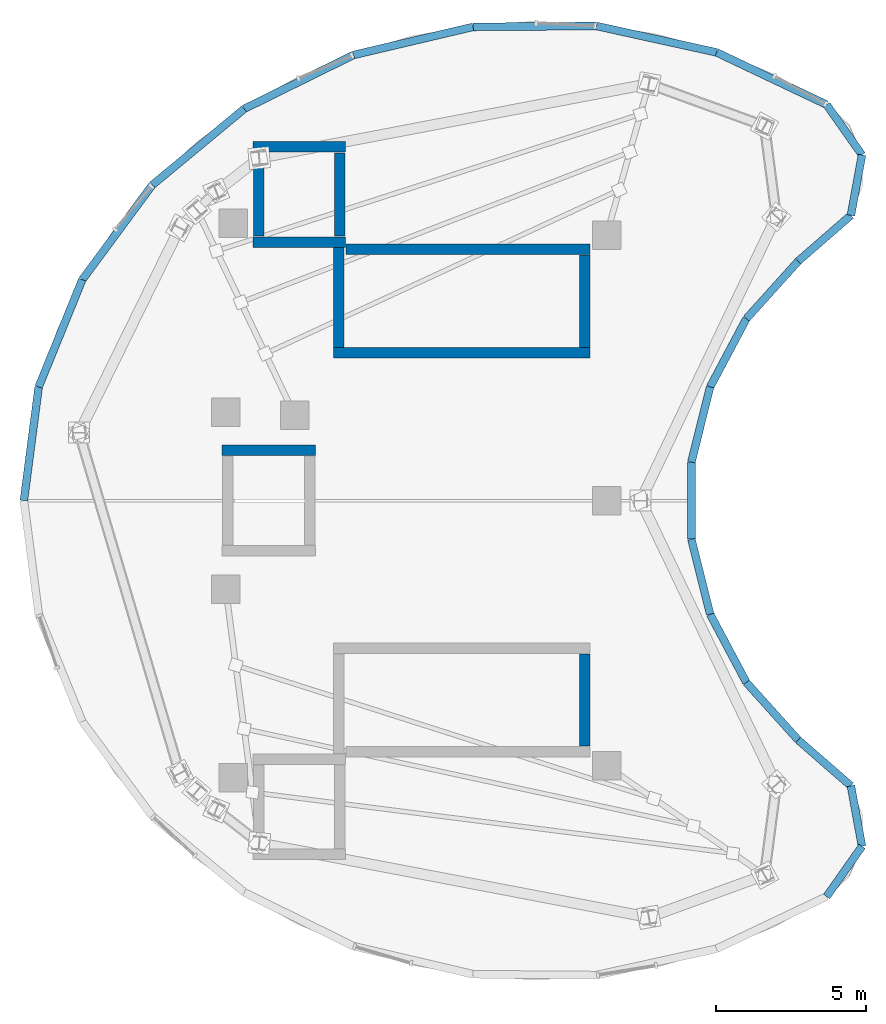
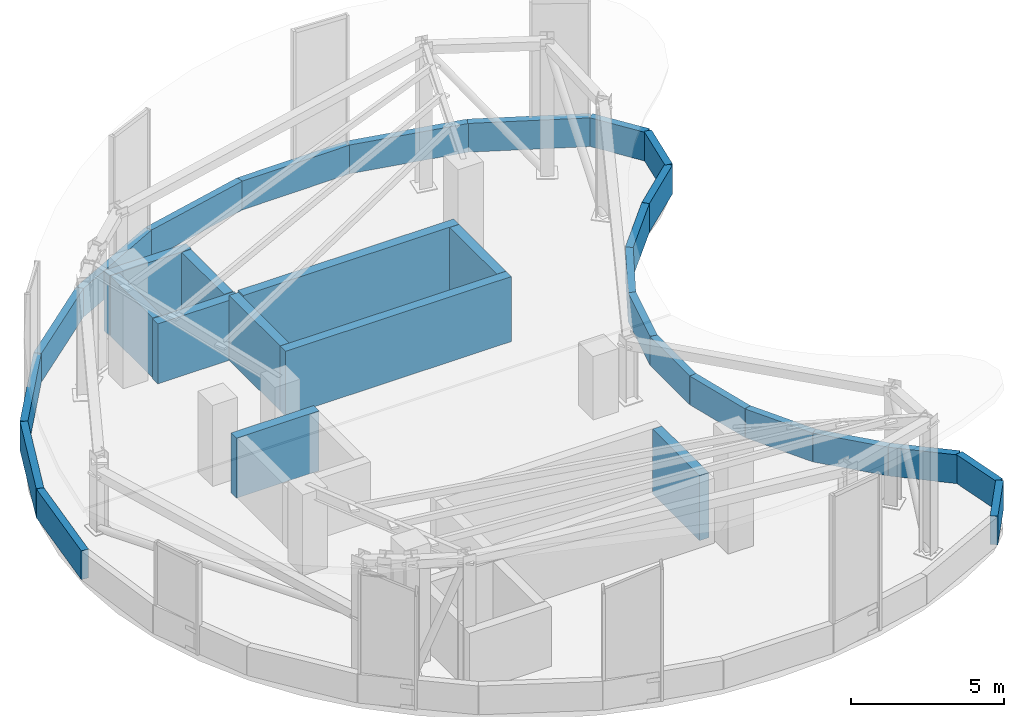
# One storey, part 4 of 4: 32 walls.
"""IFC4 building model written with IfcOpenShell, lengths in metres."""

from ifc_helpers import new_model, si_unit, direction, frame, frame_2d, origin, place, context, subcontext, project, spatial, rectangle, extrude, material, layer, layer_set, type_object, element, save


model = new_model("IFC4")

# Units and contexts
model_context = context("Model", 3, precision=1e-05, world=origin(), true_north=direction((0.0, 1.0)))
body_context = subcontext(model_context, "Body", "Model", "MODEL_VIEW")
ifc_project = project(units=[si_unit("LENGTHUNIT", "METRE"), si_unit("AREAUNIT", "SQUARE_METRE"), si_unit("VOLUMEUNIT", "CUBIC_METRE"), si_unit("PLANEANGLEUNIT", "RADIAN"), si_unit("MASSUNIT", "GRAM", prefix="KILO")], contexts=[model_context])

# Site, building, storey
site_placement = place(None, origin())
site = spatial("IfcSite", under=ifc_project, at=site_placement, CompositionType="ELEMENT")
building_placement = place(site_placement, origin())
building = spatial("IfcBuilding", under=site, at=building_placement, Name="Korentha Bioscience Tower", CompositionType="ELEMENT")
storey_placement = place(building_placement, frame((0.0, 0.0, 343.800048828125)))
storey = spatial("IfcBuildingStorey", under=building, at=storey_placement, Name="RF", CompositionType="ELEMENT", Elevation=343.800048828125)

# Walls
ifc_material_1 = material(Name="Honed Limestone Precast Concrete C40", Category="masonry")
ifc_layer_1 = layer(ifc_material_1, 0.260009765625, Name="Honed Limestone Precast Concrete C40")
ifc_layer_set_1 = layer_set([ifc_layer_1], Name="Honed Limestone Precast Concrete C40 (EW-P260)")
wall_type_1 = type_object("IfcWallType", Name="Limestone Capped Roof Parapet Wall 260", PredefinedType="PARAPET", material=ifc_layer_set_1)
wall_1_placement = place(storey_placement, frame((44.890380859375, 40.20654296875, 0.0), z_axis=(0.0, 0.0, 1.0), x_axis=(-0.9033013949, 0.429006515069, 0.0)))
element("IfcWall", 1, at=wall_1_placement, inside=storey, type_object=wall_type_1, Name="RF Limestone Roof Parapet 01", PredefinedType="PARAPET", context=body_context, shape_type="SweptSolid", body=[
    extrude(rectangle(XDim=4.059326171875, YDim=0.260009765625, at=frame_2d((2.02978515625, 0.0))), origin(), (0.0, 0.0, 1.0), 1.14990234375),
])
wall_2_placement = place(storey_placement, frame((41.2236328125, 41.947998046875, 0.0), z_axis=(0.0, 0.0, 1.0), x_axis=(-0.976668927268, 0.214750568123, 0.0)))
element("IfcWall", 2, at=wall_2_placement, inside=storey, type_object=wall_type_1, Name="RF Limestone Roof Parapet 02", PredefinedType="PARAPET", context=body_context, shape_type="SweptSolid", body=[
    extrude(rectangle(XDim=4.10400390625, YDim=0.260009765625, at=frame_2d((2.052001953125, 0.0))), origin(), (0.0, 0.0, 1.0), 1.14990234375),
])
wall_3_placement = place(storey_placement, frame((37.21533203125, 42.829345703125, 0.0), z_axis=(0.0, 0.0, 1.0), x_axis=(-0.999974284744, -0.007171460909, 0.0)))
element("IfcWall", 3, at=wall_3_placement, inside=storey, type_object=wall_type_1, Name="RF Limestone Roof Parapet 03", PredefinedType="PARAPET", context=body_context, shape_type="SweptSolid", body=[
    extrude(rectangle(XDim=4.119140625, YDim=0.260009765625, at=frame_2d((2.0595703125, 0.0))), origin(), (0.0, 0.0, 1.0), 1.14990234375),
])
wall_4_placement = place(storey_placement, frame((33.09619140625, 42.7998046875, 0.0), z_axis=(0.0, 0.0, 1.0), x_axis=(-0.973449941156, -0.228900004505, 0.0)))
element("IfcWall", 4, at=wall_4_placement, inside=storey, type_object=wall_type_1, Name="RF Limestone Roof Parapet 04", PredefinedType="PARAPET", context=body_context, shape_type="SweptSolid", body=[
    extrude(rectangle(XDim=4.10205078125, YDim=0.260009765625, at=frame_2d((2.051025390625, 0.0))), origin(), (0.0, 0.0, 1.0), 1.14990234375),
])
wall_5_placement = place(storey_placement, frame((29.10302734375, 41.86083984375, 0.0), z_axis=(0.0, 0.0, 1.0), x_axis=(-0.896846008073, -0.442342896182, 0.0)))
element("IfcWall", 5, at=wall_5_placement, inside=storey, type_object=wall_type_1, Name="RF Limestone Roof Parapet 05", PredefinedType="PARAPET", context=body_context, shape_type="SweptSolid", body=[
    extrude(rectangle(XDim=4.0556640625, YDim=0.260009765625, at=frame_2d((2.02783203125, 0.0))), origin(), (0.0, 0.0, 1.0), 1.14990234375),
])
wall_6_placement = place(storey_placement, frame((25.4658203125, 40.06689453125, 0.0), z_axis=(0.0, 0.0, 1.0), x_axis=(-0.769928793395, -0.638129808974, 0.0)))
element("IfcWall", 6, at=wall_6_placement, inside=storey, type_object=wall_type_1, Name="RF Limestone Roof Parapet 06", PredefinedType="PARAPET", context=body_context, shape_type="SweptSolid", body=[
    extrude(rectangle(XDim=3.989990234375, YDim=0.260009765625, at=frame_2d((1.9951171875, 0.0))), origin(), (0.0, 0.0, 1.0), 1.14990234375),
])
wall_7_placement = place(storey_placement, frame((22.393798828125, 37.520751953125, 0.0), z_axis=(0.0, 0.0, 1.0), x_axis=(-0.594483890804, -0.804107519909, 0.0)))
element("IfcWall", 7, at=wall_7_placement, inside=storey, type_object=wall_type_1, Name="RF Limestone Roof Parapet 07", PredefinedType="PARAPET", context=body_context, shape_type="SweptSolid", body=[
    extrude(rectangle(XDim=3.919189453125, YDim=0.260009765625, at=frame_2d((1.95947265625, 0.0))), origin(), (0.0, 0.0, 1.0), 1.14990234375),
])
wall_8_placement = place(storey_placement, frame((20.06396484375, 34.369384765625, 0.0), z_axis=(0.0, 0.0, 1.0), x_axis=(-0.376651872277, -0.926354881841, 0.0)))
element("IfcWall", 8, at=wall_8_placement, inside=storey, type_object=wall_type_1, Name="RF Limestone Roof Parapet 08", PredefinedType="PARAPET", context=body_context, shape_type="SweptSolid", body=[
    extrude(rectangle(XDim=3.85986328125, YDim=0.260009765625, at=frame_2d((1.929931640625, 0.0))), origin(), (0.0, 0.0, 1.0), 1.14990234375),
])
wall_9_placement = place(storey_placement, frame((18.610107421875, 30.793701171875, 0.0), z_axis=(0.0, 0.0, 1.0), x_axis=(-0.129161851813, -0.991623525354, 0.0)))
element("IfcWall", 9, at=wall_9_placement, inside=storey, type_object=wall_type_1, Name="RF Limestone Roof Parapet 09", PredefinedType="PARAPET", context=body_context, shape_type="SweptSolid", body=[
    extrude(rectangle(XDim=3.82568359375, YDim=0.260009765625, at=frame_2d((1.912841796875, 0.0))), origin(), (0.0, 0.0, 1.0), 1.14990234375),
])
for number, where, z_axis, x_axis, name in (
    (10, (44.890380859375, 13.79345703125, 0.0), (0.0, 0.0, 1.0), (0.576033114154, 0.817426358394, 0.0), "RF Limestone Roof Parapet 19"),
    (11, (46.0712890625, 15.46923828125, 0.0), (0.0, 0.0, 1.0), (-0.180771419895, 0.983525136308, 0.0), "RF Limestone Roof Parapet 20"),
):
    element("IfcWall", number, at=place(storey_placement, frame(where, z_axis=z_axis, x_axis=x_axis)), inside=storey, type_object=wall_type_1, Name=name, PredefinedType="PARAPET", context=body_context, shape_type="SweptSolid", body=[
        extrude(rectangle(XDim=2.050048828125, YDim=0.260009765625, at=frame_2d((1.02490234375, 0.0))), origin(), (0.0, 0.0, 1.0), 1.14990234375),
    ])
wall_10_placement = place(storey_placement, frame((45.70068359375, 17.485595703125, 0.0), z_axis=(0.0, 0.0, 1.0), x_axis=(-0.75431240133, 0.656515651907, 0.0)))
element("IfcWall", 12, at=wall_10_placement, inside=storey, type_object=wall_type_1, Name="RF Limestone Roof Parapet 21", PredefinedType="PARAPET", context=body_context, shape_type="SweptSolid", body=[
    extrude(rectangle(XDim=2.33154296875, YDim=0.260009765625, at=frame_2d((1.165771484375, 0.0))), origin(), (0.0, 0.0, 1.0), 1.14990234375),
])
wall_11_placement = place(storey_placement, frame((43.94189453125, 19.016357421875, 0.0), z_axis=(0.0, 0.0, 1.0), x_axis=(-0.669116417843, 0.743157600629, 0.0)))
element("IfcWall", 13, at=wall_11_placement, inside=storey, type_object=wall_type_1, Name="RF Limestone Roof Parapet 22", PredefinedType="PARAPET", context=body_context, shape_type="SweptSolid", body=[
    extrude(rectangle(XDim=2.57861328125, YDim=0.260009765625, at=frame_2d((1.289306640625, 0.0))), origin(), (0.0, 0.0, 1.0), 1.14990234375),
])
wall_12_placement = place(storey_placement, frame((42.216552734375, 20.9326171875, 0.0), z_axis=(0.0, 0.0, 1.0), x_axis=(-0.469496755618, 0.882934197132, 0.0)))
element("IfcWall", 14, at=wall_12_placement, inside=storey, type_object=wall_type_1, Name="RF Limestone Roof Parapet 23", PredefinedType="PARAPET", context=body_context, shape_type="SweptSolid", body=[
    extrude(rectangle(XDim=2.578125, YDim=0.260009765625, at=frame_2d((1.2890625, 0.0))), origin(), (0.0, 0.0, 1.0), 1.14990234375),
])
wall_13_placement = place(storey_placement, frame((41.006103515625, 23.208984375, 0.0), z_axis=(0.0, 0.0, 1.0), x_axis=(-0.241934015759, 0.9702927043, 0.0)))
element("IfcWall", 15, at=wall_13_placement, inside=storey, type_object=wall_type_1, Name="RF Limestone Roof Parapet 24", PredefinedType="PARAPET", context=body_context, shape_type="SweptSolid", body=[
    extrude(rectangle(XDim=2.578369140625, YDim=0.260009765625, at=frame_2d((1.2890625, 0.0))), origin(), (0.0, 0.0, 1.0), 1.14990234375),
])
wall_14_placement = place(storey_placement, frame((40.38232421875, 25.710693359375, 0.0), z_axis=(0.0, 0.0, 1.0), x_axis=(0.0, 1.0, 0.0)))
element("IfcWall", 16, at=wall_14_placement, inside=storey, type_object=wall_type_1, Name="RF Limestone Roof Parapet 25", PredefinedType="PARAPET", context=body_context, shape_type="SweptSolid", body=[
    extrude(rectangle(XDim=2.57861328125, YDim=0.260009765625, at=frame_2d((1.289306640625, 0.0))), origin(), (0.0, 0.0, 1.0), 1.14990234375),
])
wall_15_placement = place(storey_placement, frame((40.38232421875, 28.289306640625, 0.0), z_axis=(0.0, 0.0, 1.0), x_axis=(0.241934015759, 0.9702927043, 0.0)))
element("IfcWall", 17, at=wall_15_placement, inside=storey, type_object=wall_type_1, Name="RF Limestone Roof Parapet 26", PredefinedType="PARAPET", context=body_context, shape_type="SweptSolid", body=[
    extrude(rectangle(XDim=2.578369140625, YDim=0.260009765625, at=frame_2d((1.2890625, 0.0))), origin(), (0.0, 0.0, 1.0), 1.14990234375),
])
wall_16_placement = place(storey_placement, frame((41.006103515625, 30.791015625, 0.0), z_axis=(0.0, 0.0, 1.0), x_axis=(0.469496755618, 0.882934197132, 0.0)))
element("IfcWall", 18, at=wall_16_placement, inside=storey, type_object=wall_type_1, Name="RF Limestone Roof Parapet 27", PredefinedType="PARAPET", context=body_context, shape_type="SweptSolid", body=[
    extrude(rectangle(XDim=2.578125, YDim=0.260009765625, at=frame_2d((1.2890625, 0.0))), origin(), (0.0, 0.0, 1.0), 1.14990234375),
])
wall_17_placement = place(storey_placement, frame((42.216552734375, 33.0673828125, 0.0), z_axis=(0.0, 0.0, 1.0), x_axis=(0.669116417843, 0.743157600629, 0.0)))
element("IfcWall", 19, at=wall_17_placement, inside=storey, type_object=wall_type_1, Name="RF Limestone Roof Parapet 28", PredefinedType="PARAPET", context=body_context, shape_type="SweptSolid", body=[
    extrude(rectangle(XDim=2.57861328125, YDim=0.260009765625, at=frame_2d((1.289306640625, 0.0))), origin(), (0.0, 0.0, 1.0), 1.14990234375),
])
wall_18_placement = place(storey_placement, frame((43.94189453125, 34.983642578125, 0.0), z_axis=(0.0, 0.0, 1.0), x_axis=(0.75431240133, 0.656515651907, 0.0)))
element("IfcWall", 20, at=wall_18_placement, inside=storey, type_object=wall_type_1, Name="RF Limestone Roof Parapet 29", PredefinedType="PARAPET", context=body_context, shape_type="SweptSolid", body=[
    extrude(rectangle(XDim=2.33154296875, YDim=0.260009765625, at=frame_2d((1.165771484375, 0.0))), origin(), (0.0, 0.0, 1.0), 1.14990234375),
])
for number, where, z_axis, x_axis, name in (
    (21, (45.70068359375, 36.514404296875, 0.0), (0.0, 0.0, 1.0), (0.180771419895, 0.983525136308, 0.0), "RF Limestone Roof Parapet 30"),
    (22, (46.0712890625, 38.53076171875, 0.0), (0.0, 0.0, 1.0), (-0.576033114154, 0.817426358394, 0.0), "RF Limestone Roof Parapet 31"),
):
    element("IfcWall", number, at=place(storey_placement, frame(where, z_axis=z_axis, x_axis=x_axis)), inside=storey, type_object=wall_type_1, Name=name, PredefinedType="PARAPET", context=body_context, shape_type="SweptSolid", body=[
        extrude(rectangle(XDim=2.050048828125, YDim=0.260009765625, at=frame_2d((1.02490234375, 0.0))), origin(), (0.0, 0.0, 1.0), 1.14990234375),
    ])
ifc_material_2 = material(Name="Concrete C50", Category="concrete")
ifc_layer_2 = layer(ifc_material_2, 0.35009765625, Name="Concrete C50")
ifc_layer_set_2 = layer_set([ifc_layer_2], Name="Concrete C50 (CW-C50)")
wall_type_2 = type_object("IfcWallType", Name="Upper Core Shear Wall 350", PredefinedType="SHEAR", material=ifc_layer_set_2)
for number, where, z_axis, x_axis, name in (
    (23, (25.75, 38.800048828125, 0.0), (0.0, 0.0, 1.0), (1.0, 0.0, 0.0), "RF Lift Overrun Wall FFL2-N"),
    (24, (25.75, 35.6201171875, 0.0), (0.0, 0.0, 1.0), (1.0, 0.0, 0.0), "RF Lift Overrun Wall FFL2-S"),
):
    element("IfcWall", number, at=place(storey_placement, frame(where, z_axis=z_axis, x_axis=x_axis)), inside=storey, type_object=wall_type_2, Name=name, PredefinedType="SHEAR", context=body_context, shape_type="SweptSolid", body=[
        extrude(rectangle(XDim=3.10009765625, YDim=0.35009765625, at=frame_2d((1.550048828125, 0.0))), origin(), (0.0, 0.0, 1.0), 2.39990234375),
    ])
for number, where, z_axis, x_axis, name in (
    (25, (25.949951171875, 35.820068359375, 0.0), (0.0, 0.0, 1.0), (0.0, 1.0, 0.0), "RF Lift Overrun Wall FFL2-W"),
    (26, (28.64990234375, 35.820068359375, 0.0), (0.0, 0.0, 1.0), (0.0, 1.0, 0.0), "RF Lift Overrun Wall FFL2-E"),
):
    element("IfcWall", number, at=place(storey_placement, frame(where, z_axis=z_axis, x_axis=x_axis)), inside=storey, type_object=wall_type_2, Name=name, PredefinedType="SHEAR", context=body_context, shape_type="SweptSolid", body=[
        extrude(rectangle(XDim=2.780029296875, YDim=0.35009765625, at=frame_2d((1.39013671875, 0.0))), origin(), (0.0, 0.0, 1.0), 2.39990234375),
    ])
wall_19_placement = place(storey_placement, frame((24.719970703125, 28.679931640625, 0.0), z_axis=(0.0, 0.0, 1.0), x_axis=(1.0, 0.0, 0.0)))
element("IfcWall", 27, at=wall_19_placement, inside=storey, type_object=wall_type_2, Name="RF Lift Overrun Wall SVL1-N", PredefinedType="SHEAR", context=body_context, shape_type="SweptSolid", body=[
    extrude(rectangle(XDim=3.130126953125, YDim=0.35009765625, at=frame_2d((1.56494140625, 0.0))), origin(), (0.0, 0.0, 1.0), 2.39990234375),
])
wall_20_placement = place(storey_placement, frame((28.85205078125, 35.375, 0.0), z_axis=(0.0, 0.0, 1.0), x_axis=(1.0, 0.0, 0.0)))
element("IfcWall", 28, at=wall_20_placement, inside=storey, type_object=wall_type_2, Name="RF Maintenance Headhouse Shear Wall ST1-N", PredefinedType="SHEAR", context=body_context, shape_type="SweptSolid", body=[
    extrude(rectangle(XDim=8.14794921875, YDim=0.35009765625, at=frame_2d((4.073974609375, 0.0))), origin(), (0.0, 0.0, 1.0), 2.599853515625),
])
wall_21_placement = place(storey_placement, frame((28.449951171875, 31.925048828125, 0.0), z_axis=(0.0, 0.0, 1.0), x_axis=(1.0, 0.0, 0.0)))
element("IfcWall", 29, at=wall_21_placement, inside=storey, type_object=wall_type_2, Name="RF Maintenance Headhouse Shear Wall ST1-S", PredefinedType="SHEAR", context=body_context, shape_type="SweptSolid", body=[
    extrude(rectangle(XDim=8.550048828125, YDim=0.35009765625, at=frame_2d((4.27490234375, 0.0))), origin(), (0.0, 0.0, 1.0), 2.599853515625),
])
wall_22_placement = place(storey_placement, frame((36.824951171875, 32.110107421875, 0.0), z_axis=(0.0, 0.0, 1.0), x_axis=(0.0, 1.0, 0.0)))
element("IfcWall", 30, at=wall_22_placement, inside=storey, type_object=wall_type_2, Name="RF Maintenance Headhouse Shear Wall ST1-E", PredefinedType="SHEAR", context=body_context, shape_type="SweptSolid", body=[
    extrude(rectangle(XDim=3.079833984375, YDim=0.35009765625, at=frame_2d((1.5400390625, 0.0))), origin(), (0.0, 0.0, 1.0), 2.599853515625),
])
wall_23_placement = place(storey_placement, frame((28.625, 32.110107421875, 0.0), z_axis=(0.0, 0.0, 1.0), x_axis=(0.0, 1.0, 0.0)))
element("IfcWall", 31, at=wall_23_placement, inside=storey, type_object=wall_type_2, Name="RF Maintenance Headhouse Shear Wall ST1-W", PredefinedType="SHEAR", context=body_context, shape_type="SweptSolid", body=[
    extrude(rectangle(XDim=3.3330078125, YDim=0.35009765625, at=frame_2d((1.66650390625, 0.0))), origin(), (0.0, 0.0, 1.0), 2.599853515625),
])
wall_24_placement = place(storey_placement, frame((36.824951171875, 18.81005859375, 0.0), z_axis=(0.0, 0.0, 1.0), x_axis=(0.0, 1.0, 0.0)))
element("IfcWall", 32, at=wall_24_placement, inside=storey, type_object=wall_type_2, Name="RF Maintenance Headhouse Shear Wall ST2-E", PredefinedType="SHEAR", context=body_context, shape_type="SweptSolid", body=[
    extrude(rectangle(XDim=3.079833984375, YDim=0.35009765625, at=frame_2d((1.5400390625, 0.0))), origin(), (0.0, 0.0, 1.0), 2.599853515625),
])

save(model, "model.ifc")
